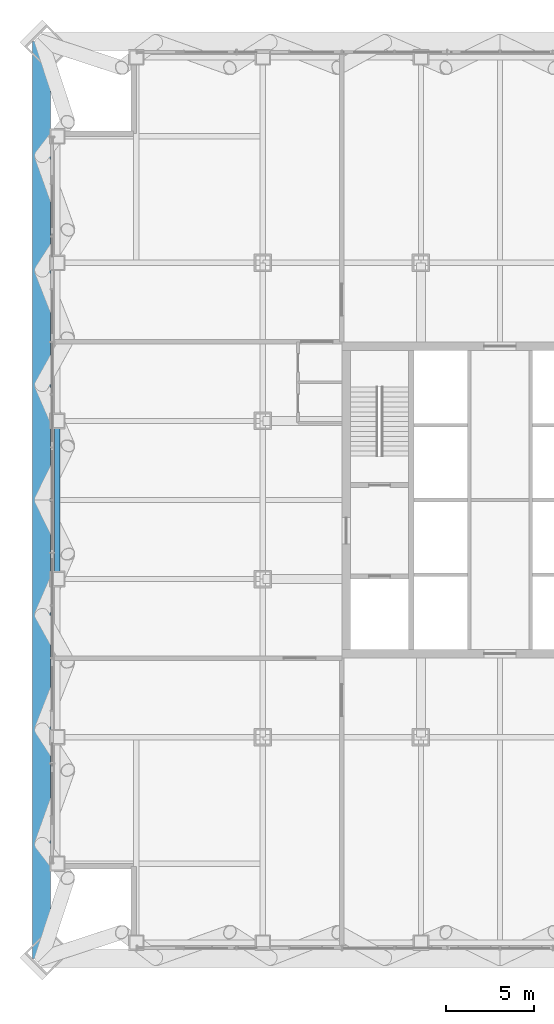
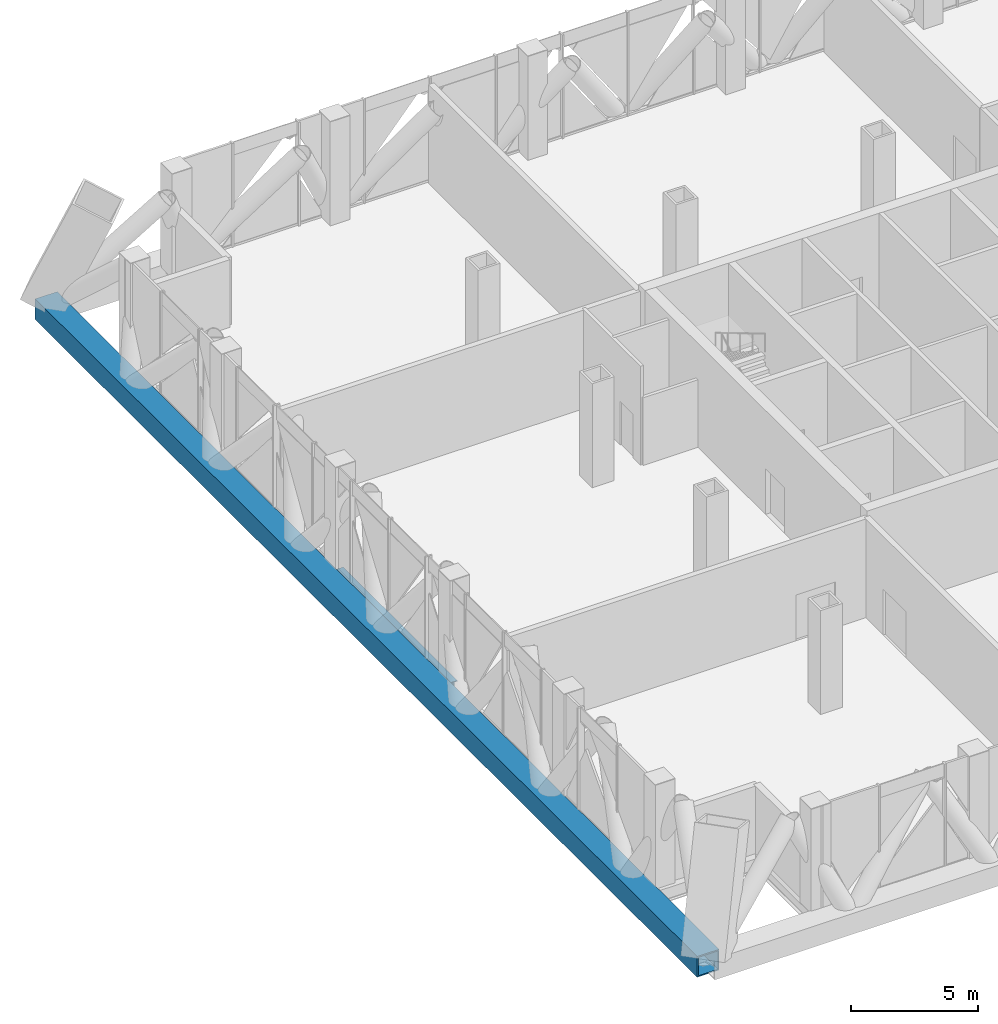
# One storey, part 5 of 26: 1 beam, 1 member.
"""IFC4 building model written with IfcOpenShell, lengths in metres."""

from ifc_helpers import new_model, si_unit, direction, frame, origin, origin_2d, place, context, subcontext, project, spatial, hollow_rectangle, i_section, extrude, material, material_profile, profile_set, type_object, element, save


model = new_model("IFC4")

# Units and contexts
model_context = context("Model", 3, precision=1e-05, world=origin(), true_north=direction((0.0, 1.0)))
body_context = subcontext(model_context, "Body", "Model", "MODEL_VIEW")
ifc_project = project(units=[si_unit("LENGTHUNIT", "METRE"), si_unit("AREAUNIT", "SQUARE_METRE"), si_unit("VOLUMEUNIT", "CUBIC_METRE"), si_unit("PLANEANGLEUNIT", "RADIAN"), si_unit("MASSUNIT", "GRAM", prefix="KILO")], contexts=[model_context])

# Site, building, storey
site_placement = place(None, origin())
site = spatial("IfcSite", under=ifc_project, at=site_placement, CompositionType="ELEMENT")
building_placement = place(site_placement, origin())
building = spatial("IfcBuilding", under=site, at=building_placement, Name="Malebo Sky Hospital", CompositionType="ELEMENT")
storey_placement = place(building_placement, frame((0.0, 0.0, 95.0)))
storey = spatial("IfcBuildingStorey", under=building, at=storey_placement, Name="L22", CompositionType="ELEMENT", Elevation=95.0)

# Beam
ifc_material_1 = material(Name="Steel S355", Category="steel")
ifc_material_profile_1 = material_profile(ifc_material_1, i_section(OverallWidth=0.304931640625, OverallDepth=0.6201171875, WebThickness=0.02099609375, FlangeThickness=0.0400390625, FilletRadius=0.027099609375, at=origin_2d()), Name="HEM 600")
ifc_profile_set_1 = profile_set([ifc_material_profile_1], Name="Steel S355")
beam_type = type_object("IfcBeamType", Name="EDGE BEAM HEM 600", PredefinedType="BEAM", material=ifc_profile_set_1)
beam_placement = place(storey_placement, frame((34.800048828125, 57.5, -0.56005859375), z_axis=(0.0, 1.0, 0.0), x_axis=(-1.0, 0.0, 0.0)))
element("IfcBeam", 1, at=beam_placement, inside=storey, type_object=beam_type, Name="Beam 002 L22", PredefinedType="BEAM", context=body_context, shape_type="SweptSolid", body=[
    extrude(i_section(OverallWidth=0.304931640625, OverallDepth=0.6201171875, WebThickness=0.02099609375, FlangeThickness=0.0400390625, FilletRadius=0.027099609375, at=origin_2d()), origin(), (0.0, 0.0, 1.0), 9.0),
])

# Member
ifc_material_2 = material(Name="Steel S460", Category="steel")
ifc_material_profile_2 = material_profile(ifc_material_2, hollow_rectangle(XDim=1.0, YDim=1.0, WallThickness=0.06005859375, at=origin_2d()), Name="BOX 1000x1000x60")
ifc_profile_set_2 = profile_set([ifc_material_profile_2], Name="Steel S460")
member_type = type_object("IfcMemberType", Name="MEGA TIE BOX 1000x1000x60", PredefinedType="CHORD", material=ifc_profile_set_2)
member_placement = place(storey_placement, frame((33.89990234375, 88.10009765625, -0.39990234375), z_axis=(0.0, -1.0, 0.0), x_axis=(1.0, 0.0, 0.0)))
element("IfcMember", 2, at=member_placement, inside=storey, type_object=member_type, Name="Mega tie AW L22", PredefinedType="CHORD", context=body_context, shape_type="SweptSolid", body=[
    extrude(hollow_rectangle(XDim=1.0, YDim=1.0, WallThickness=0.06005859375, at=origin_2d()), origin(), (0.0, 0.0, 1.0), 52.2001953125),
])

save(model, "model.ifc")
